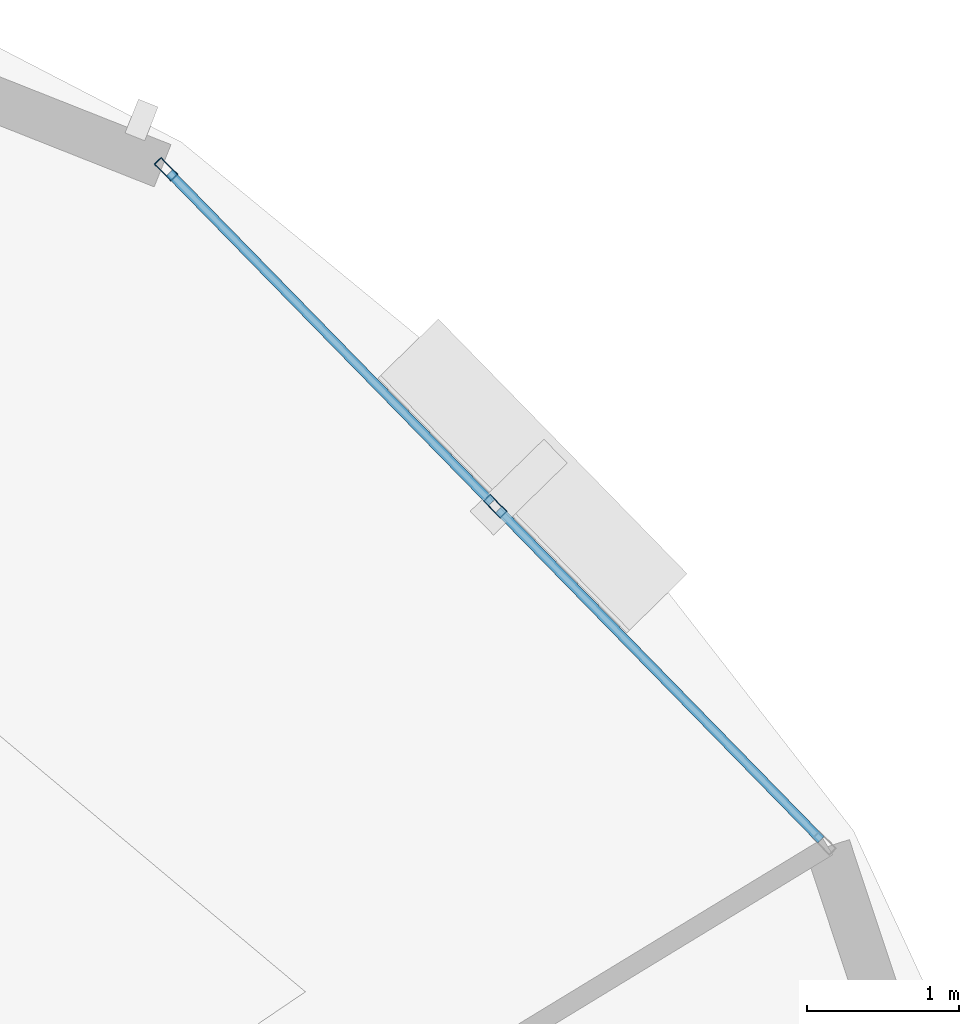
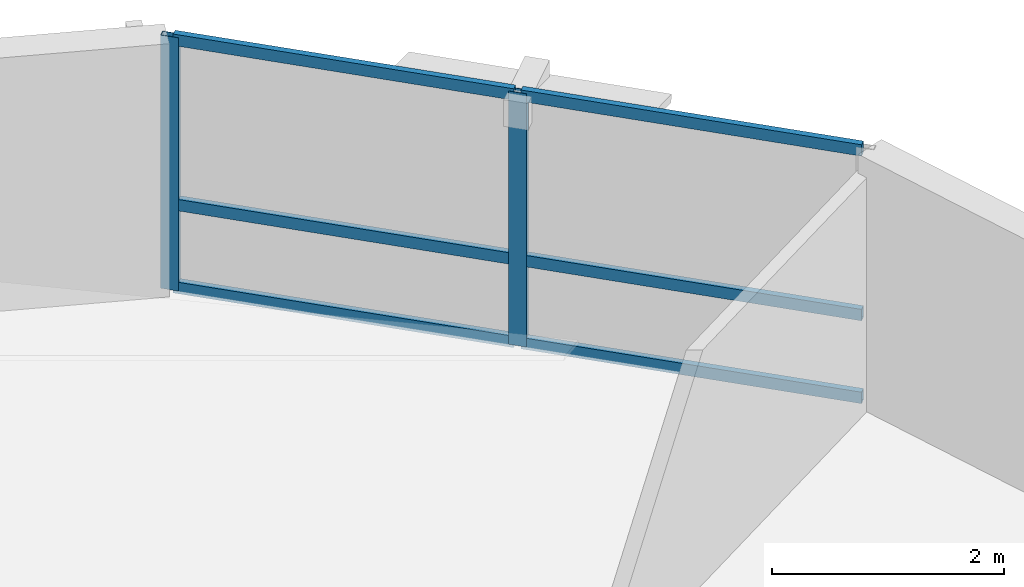
# One storey, part 8 of 15: 8 members, 1 element without a shape of its own.
"""IFC4 building model written with IfcOpenShell, lengths in metres."""

import ifcopenshell
import ifcopenshell.guid

model = None  # the IFC model being written
_history = None  # IfcOwnerHistory: only IFC2X3 demands one
_inside = {}  # id of a spatial element -> (the spatial element, [elements in it])
_under = {}  # id of a project, library or spatial element -> (it, [spatial elements below it])
_declared = {}  # id of a project -> (the project, [libraries it declares])
_typed = {}  # id of a type object -> (the type object, [elements of that type])
_made_of = {}  # id of a material, layer set ... -> (it, [elements and type objects made of it])


def new_model(schema):
    """Start an empty IFC model of exactly this schema.

    Asked for "IFC4X3", IfcOpenShell would pick the latest addendum, in which some entities
    have other attributes; the version numbers below select the first issue.
    IFC2X3 requires an IfcOwnerHistory on every rooted entity: one is made here for all.
    """
    global model, _history
    if schema == "IFC4X3":
        model = ifcopenshell.file(schema_version=(4, 3, 0, 0))
    else:
        model = ifcopenshell.file(schema=schema)
    _inside.clear()
    _under.clear()
    _declared.clear()
    _typed.clear()
    _made_of.clear()
    _history = None
    if model.schema == "IFC2X3":
        org = make("IfcOrganization", Name="unknown")
        user = make(
            "IfcPersonAndOrganization",
            ThePerson=make("IfcPerson", FamilyName="unknown"),
            TheOrganization=org,
        )
        app = make(
            "IfcApplication",
            ApplicationDeveloper=org,
            Version="unknown",
            ApplicationFullName="unknown",
            ApplicationIdentifier="unknown",
        )
        _history = make(
            "IfcOwnerHistory",
            OwningUser=user,
            OwningApplication=app,
            ChangeAction="ADDED",
            CreationDate=0,
        )
    return model


def make(cls, **values):
    """One entity of the class cls with the attributes given. An attribute that is None is left unset."""
    return model.create_entity(
        cls, **{name: value for name, value in values.items() if value is not None}
    )


def rooted(cls, **values):
    """An entity with a GlobalId (a new one), such as an element, a storey or a relation."""
    return make(cls, GlobalId=ifcopenshell.guid.new(), OwnerHistory=_history, **values)


def si_unit(unit_type, name, prefix=None):
    """IfcSIUnit, for example si_unit("LENGTHUNIT", "METRE", prefix="MILLI")."""
    return make("IfcSIUnit", UnitType=unit_type, Prefix=prefix, Name=name)


def assignment(units):
    """IfcUnitAssignment: the units of a project."""
    return None if units is None else make("IfcUnitAssignment", Units=units)


def point(xyz):
    """IfcCartesianPoint."""
    return None if xyz is None else make("IfcCartesianPoint", Coordinates=xyz)


def direction(xyz):
    """IfcDirection."""
    return None if xyz is None else make("IfcDirection", DirectionRatios=xyz)


def frame(location, z_axis=None, x_axis=None):
    """IfcAxis2Placement3D, a coordinate frame: its origin and axes. An axis left out is left unset."""
    return make(
        "IfcAxis2Placement3D",
        Location=point(location),
        Axis=direction(z_axis),
        RefDirection=direction(x_axis),
    )


def frame_2d(location, x_axis=None):
    """IfcAxis2Placement2D, a coordinate frame in the plane: its origin and x axis."""
    return make(
        "IfcAxis2Placement2D", Location=point(location), RefDirection=direction(x_axis)
    )


def origin():
    """The frame at (0, 0, 0) with its axes left unset."""
    return frame((0.0, 0.0, 0.0))


def origin_2d():
    """The frame at (0, 0) in the plane with its x axis left unset."""
    return frame_2d((0.0, 0.0))


def place(relative_to, where):
    """IfcLocalPlacement: puts the frame where relative to a parent placement (None: the world)."""
    return make(
        "IfcLocalPlacement", PlacementRelTo=relative_to, RelativePlacement=where
    )


def context(
    kind, dimensions, precision=None, world=None, true_north=None, identifier=None
):
    """IfcGeometricRepresentationContext, for example the 3D "Model" context."""
    return make(
        "IfcGeometricRepresentationContext",
        ContextIdentifier=identifier,
        ContextType=kind,
        CoordinateSpaceDimension=dimensions,
        Precision=precision,
        WorldCoordinateSystem=world,
        TrueNorth=true_north,
    )


def subcontext(parent, identifier, kind, view, scale=None):
    """IfcGeometricRepresentationSubContext, for example "Body" below "Model"."""
    return make(
        "IfcGeometricRepresentationSubContext",
        ContextIdentifier=identifier,
        ContextType=kind,
        ParentContext=parent,
        TargetScale=scale,
        TargetView=view,
    )


def project(units=None, contexts=None):
    """IfcProject with its units and contexts."""
    return rooted(
        "IfcProject",
        Name="project",
        RepresentationContexts=contexts,
        UnitsInContext=assignment(units),
    )


def spatial(cls, under=None, at=None, **own):
    """A site, building, storey or space (cls), placed at a placement, below another one or the project."""
    s = rooted(cls, ObjectPlacement=at, **own)
    if under is not None:
        _under.setdefault(under.id(), (under, []))[1].append(s)
    return s


def profile(cls, at=None, kind="AREA", **sizes):
    """A parametric profile (cls). Its sizes go by their IFC names, for example OverallWidth=200.0."""
    return make(cls, ProfileType=kind, Position=at, **sizes)


def hollow_rectangle(**sizes):
    """IfcRectangleHollowProfileDef."""
    return profile("IfcRectangleHollowProfileDef", **sizes)


def extrude(swept, where, along, depth):
    """IfcExtrudedAreaSolid: the profile swept, set in the frame where, extruded along a direction by depth."""
    return make(
        "IfcExtrudedAreaSolid",
        SweptArea=swept,
        Position=where,
        ExtrudedDirection=direction(along),
        Depth=depth,
    )


def shape(context_of_items, identifier, shape_type, items):
    """IfcShapeRepresentation: the items that make up one representation, for example the "Body"."""
    return make(
        "IfcShapeRepresentation",
        ContextOfItems=context_of_items,
        RepresentationIdentifier=identifier,
        RepresentationType=shape_type,
        Items=items,
    )


def material(Name=None, Category=None):
    """IfcMaterial."""
    return make("IfcMaterial", Name=Name, Category=Category)


def layer(
    of_material, thickness, ventilated=None, Name=None, Category=None, Priority=None
):
    """IfcMaterialLayer: one layer of a wall or slab, of a material (None: an air gap)."""
    return make(
        "IfcMaterialLayer",
        Material=of_material,
        LayerThickness=thickness,
        IsVentilated=ventilated,
        Name=Name,
        Category=Category,
        Priority=Priority,
    )


def layer_set(layers, Name=None):
    """IfcMaterialLayerSet."""
    return make("IfcMaterialLayerSet", MaterialLayers=layers, LayerSetName=Name)


def material_profile(
    of_material, cross_section, Name=None, Category=None, Priority=None
):
    """IfcMaterialProfile: a cross section and its material."""
    return make(
        "IfcMaterialProfile",
        Name=Name,
        Material=of_material,
        Profile=cross_section,
        Priority=Priority,
        Category=Category,
    )


def profile_set(profiles, Name=None, composite=None):
    """IfcMaterialProfileSet."""
    return make(
        "IfcMaterialProfileSet",
        Name=Name,
        MaterialProfiles=profiles,
        CompositeProfile=composite,
    )


def made_of(thing, what):
    """Note that an element or type object is made of a material, layer set ...; save() writes the relation."""
    if what is not None:
        _made_of.setdefault(what.id(), (what, []))[1].append(thing)
    return thing


def type_object(cls, material=None, **own):
    """A type object (cls), such as IfcWallType, which elements share."""
    return made_of(rooted(cls, **own), material)


def element(
    cls,
    number,
    at=None,
    inside=None,
    cuts=None,
    type_object=None,
    material=None,
    context=None,
    identifier="Body",
    shape_type=None,
    held_by="IfcProductDefinitionShape",
    body=None,
    shapes=None,
    **own,
):
    """One element of the class cls, such as IfcWall. Its Tag is "e" and its number.

    at: its placement. inside: the storey or other place that contains it. cuts: it is an
    opening in that element (IfcRelVoidsElement). A single representation is given by context,
    identifier, shape_type and body (its items); several are given by shapes. held_by: the class
    of the entity that holds the representations. save() writes the other relations.
    """
    e = rooted(cls, Tag="e%d" % number, ObjectPlacement=at, **own)
    if body is not None:
        shapes = [shape(context, identifier, shape_type, body)]
    if shapes is not None:
        e.Representation = make(held_by, Representations=shapes)
    if inside is not None:
        _inside.setdefault(inside.id(), (inside, []))[1].append(e)
    if cuts is not None:
        rooted(
            "IfcRelVoidsElement", RelatingBuildingElement=cuts, RelatedOpeningElement=e
        )
    if type_object is not None:
        _typed.setdefault(type_object.id(), (type_object, []))[1].append(e)
    return made_of(e, material)


def aggregate(whole, parts):
    """IfcRelAggregates: a whole, such as a stair, and the parts it consists of."""
    return rooted("IfcRelAggregates", RelatingObject=whole, RelatedObjects=parts)


def save(model, path):
    """Write the relations noted so far, then the file.

    IfcRelAggregates (storeys below a building ...), IfcRelContainedInSpatialStructure (elements
    in a storey), IfcRelDefinesByType, IfcRelAssociatesMaterial and IfcRelDeclares: one each for
    every whole, place, type object, material and project.
    """
    for whole, parts in _under.values():
        aggregate(whole, parts)
    for where, things in _inside.values():
        rooted(
            "IfcRelContainedInSpatialStructure",
            RelatedElements=things,
            RelatingStructure=where,
        )
    for kind, things in _typed.values():
        rooted("IfcRelDefinesByType", RelatedObjects=things, RelatingType=kind)
    for what, things in _made_of.values():
        rooted("IfcRelAssociatesMaterial", RelatedObjects=things, RelatingMaterial=what)
    for by, libraries in _declared.values():
        rooted("IfcRelDeclares", RelatingContext=by, RelatedDefinitions=libraries)
    model.write(path)


model = new_model("IFC4")

# Units and contexts
model_context = context("Model", 3, precision=1e-05, world=origin(), true_north=direction((0.0, 1.0)))
body_context = subcontext(model_context, "Body", "Model", "MODEL_VIEW")
ifc_project = project(units=[si_unit("LENGTHUNIT", "METRE"), si_unit("AREAUNIT", "SQUARE_METRE"), si_unit("VOLUMEUNIT", "CUBIC_METRE"), si_unit("PLANEANGLEUNIT", "RADIAN"), si_unit("MASSUNIT", "GRAM", prefix="KILO"), si_unit("THERMODYNAMICTEMPERATUREUNIT", "KELVIN"), si_unit("POWERUNIT", "WATT")], contexts=[model_context])

# Site, building, storey
site_placement = place(None, origin())
site = spatial("IfcSite", under=ifc_project, at=site_placement, CompositionType="ELEMENT")
building_placement = place(site_placement, origin())
building = spatial("IfcBuilding", under=site, at=building_placement, Name="Ocrelia Relay Tower", CompositionType="ELEMENT")
storey_placement = place(building_placement, frame((0.0, 0.0, 166.39990234375)))
storey = spatial("IfcBuildingStorey", under=building, at=storey_placement, Name="L39", CompositionType="ELEMENT", Elevation=166.39990234375)

# Curtain wall, members
ifc_material_1 = material(Name="Aluminium and solar-control low-E glass", Category="aluminium")
ifc_layer = layer(ifc_material_1, 0.179931640625, Name="Aluminium and solar-control low-E glass")
ifc_layer_set = layer_set([ifc_layer], Name="Aluminium and solar-control low-E glass")
curtain_wall_type = type_object("IfcCurtainWallType", Name="CW-SYS-Z3-CLOU", PredefinedType="NOTDEFINED", material=ifc_layer_set)
curtain_wall_placement = place(storey_placement, origin())
curtain_wall = element("IfcCurtainWall", 1, at=curtain_wall_placement, inside=storey, type_object=curtain_wall_type, Name="L39 Elliptical Tower Curtain Wall Bay 01", PredefinedType="NOTDEFINED")
ifc_material_2 = material(Name="Anodised bronze aluminium", Category="aluminium")
ifc_material_profile_1 = material_profile(ifc_material_2, hollow_rectangle(XDim=0.06494140625, YDim=0.159912109375, WallThickness=0.0048828125, at=origin_2d()), Name="CW-MUL-160x65")
ifc_profile_set_1 = profile_set([ifc_material_profile_1], Name="Anodised bronze aluminium")
member_type_1 = type_object("IfcMemberType", Name="CW-SYS-Z3-CLOU-MUL", PredefinedType="MULLION", material=ifc_profile_set_1)
member_1_placement = place(storey_placement, frame((51.78857421875, 40.42138671875, 0.0), z_axis=(0.0, 0.0, 1.0), x_axis=(-0.715327145451, -0.698789721576, 0.0)))
member_1 = element("IfcMember", 2, at=member_1_placement, type_object=member_type_1, Name="CW-Z3 mullion 2", PredefinedType="MULLION", context=body_context, shape_type="SweptSolid", body=[
    extrude(hollow_rectangle(XDim=0.06494140625, YDim=0.159912109375, WallThickness=0.0048828125, at=origin_2d()), origin(), (0.0, 0.0, 1.0), 2.66015625),
])
member_2_placement = place(storey_placement, frame((49.6162109375, 42.645263671875, 0.0), z_axis=(0.0, 0.0, 1.0), x_axis=(-0.715327145451, -0.698789721576, 0.0)))
member_2 = element("IfcMember", 3, at=member_2_placement, type_object=member_type_1, Name="CW-Z3 mullion 3", PredefinedType="MULLION", context=body_context, shape_type="SweptSolid", body=[
    extrude(hollow_rectangle(XDim=0.06494140625, YDim=0.159912109375, WallThickness=0.0048828125, at=origin_2d()), origin(), (0.0, 0.0, 1.0), 2.66015625),
])
ifc_material_profile_2 = material_profile(ifc_material_2, hollow_rectangle(XDim=0.06005859375, YDim=0.1201171875, WallThickness=0.0048828125, at=origin_2d()), Name="CW-TRN-120x60")
ifc_profile_set_2 = profile_set([ifc_material_profile_2], Name="Anodised bronze aluminium")
member_type_2 = type_object("IfcMemberType", Name="CW-SYS-Z3-CLOU-TRN", PredefinedType="USERDEFINED", material=ifc_profile_set_2)
member_3_placement = place(storey_placement, frame((53.938232421875, 38.220703125, 0.030029296875), z_axis=(-0.698796799232, 0.715320231353, 0.0), x_axis=(-0.715320231353, -0.698796799232, 0.0)))
member_3 = element("IfcMember", 4, at=member_3_placement, type_object=member_type_2, Name="CW-Z3 transom 1.1", ObjectType="TRANSOM", PredefinedType="USERDEFINED", context=body_context, shape_type="SweptSolid", body=[
    extrude(hollow_rectangle(XDim=0.06005859375, YDim=0.1201171875, WallThickness=0.0048828125, at=origin_2d()), origin(), (0.0, 0.0, 1.0), 3.043701171875),
])
member_4_placement = place(storey_placement, frame((53.938232421875, 38.220703125, 0.900146484375), z_axis=(-0.698796799232, 0.715320231353, 0.0), x_axis=(-0.715320231353, -0.698796799232, 0.0)))
member_4 = element("IfcMember", 5, at=member_4_placement, type_object=member_type_2, Name="CW-Z3 transom 1.2", ObjectType="TRANSOM", PredefinedType="USERDEFINED", context=body_context, shape_type="SweptSolid", body=[
    extrude(hollow_rectangle(XDim=0.06005859375, YDim=0.1201171875, WallThickness=0.0048828125, at=origin_2d()), origin(), (0.0, 0.0, 1.0), 3.043701171875),
])
member_5_placement = place(storey_placement, frame((53.938232421875, 38.220703125, 2.630126953125), z_axis=(-0.698796799232, 0.715320231353, 0.0), x_axis=(-0.715320231353, -0.698796799232, 0.0)))
member_5 = element("IfcMember", 6, at=member_5_placement, type_object=member_type_2, Name="CW-Z3 transom 1.3", ObjectType="TRANSOM", PredefinedType="USERDEFINED", context=body_context, shape_type="SweptSolid", body=[
    extrude(hollow_rectangle(XDim=0.06005859375, YDim=0.1201171875, WallThickness=0.0048828125, at=origin_2d()), origin(), (0.0, 0.0, 1.0), 3.043701171875),
])
member_6_placement = place(storey_placement, frame((51.765869140625, 40.444580078125, 0.030029296875), z_axis=(-0.698796799232, 0.715320231353, 0.0), x_axis=(-0.715320231353, -0.698796799232, 0.0)))
member_6 = element("IfcMember", 7, at=member_6_placement, type_object=member_type_2, Name="CW-Z3 transom 2.1", ObjectType="TRANSOM", PredefinedType="USERDEFINED", context=body_context, shape_type="SweptSolid", body=[
    extrude(hollow_rectangle(XDim=0.06005859375, YDim=0.1201171875, WallThickness=0.0048828125, at=origin_2d()), origin(), (0.0, 0.0, 1.0), 3.043701171875),
])
member_7_placement = place(storey_placement, frame((51.765869140625, 40.444580078125, 0.900146484375), z_axis=(-0.698796799232, 0.715320231353, 0.0), x_axis=(-0.715320231353, -0.698796799232, 0.0)))
member_7 = element("IfcMember", 8, at=member_7_placement, type_object=member_type_2, Name="CW-Z3 transom 2.2", ObjectType="TRANSOM", PredefinedType="USERDEFINED", context=body_context, shape_type="SweptSolid", body=[
    extrude(hollow_rectangle(XDim=0.06005859375, YDim=0.1201171875, WallThickness=0.0048828125, at=origin_2d()), origin(), (0.0, 0.0, 1.0), 3.043701171875),
])
member_8_placement = place(storey_placement, frame((51.765869140625, 40.444580078125, 2.630126953125), z_axis=(-0.698796799232, 0.715320231353, 0.0), x_axis=(-0.715320231353, -0.698796799232, 0.0)))
member_8 = element("IfcMember", 9, at=member_8_placement, type_object=member_type_2, Name="CW-Z3 transom 2.3", ObjectType="TRANSOM", PredefinedType="USERDEFINED", context=body_context, shape_type="SweptSolid", body=[
    extrude(hollow_rectangle(XDim=0.06005859375, YDim=0.1201171875, WallThickness=0.0048828125, at=origin_2d()), origin(), (0.0, 0.0, 1.0), 3.043701171875),
])
aggregate(curtain_wall, [member_1, member_2, member_3, member_4, member_5, member_6, member_7, member_8])

save(model, "model.ifc")
